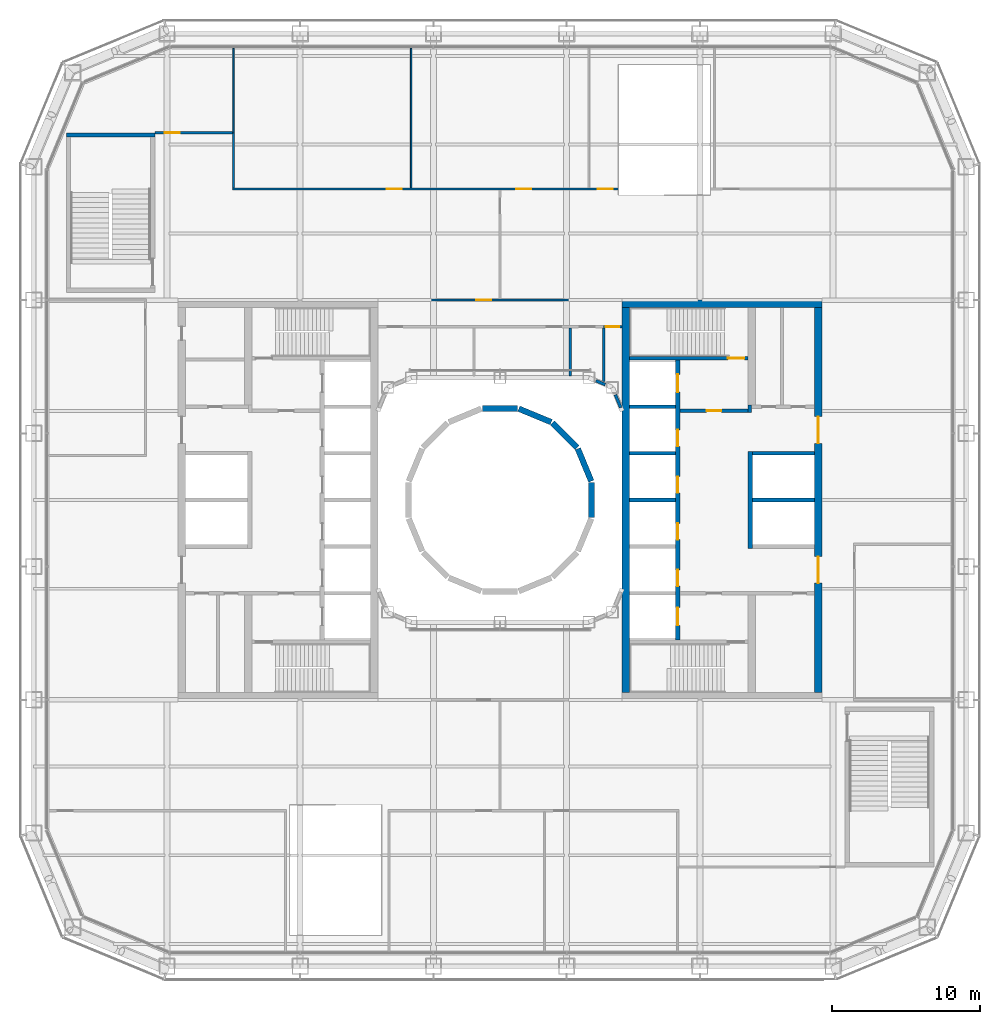
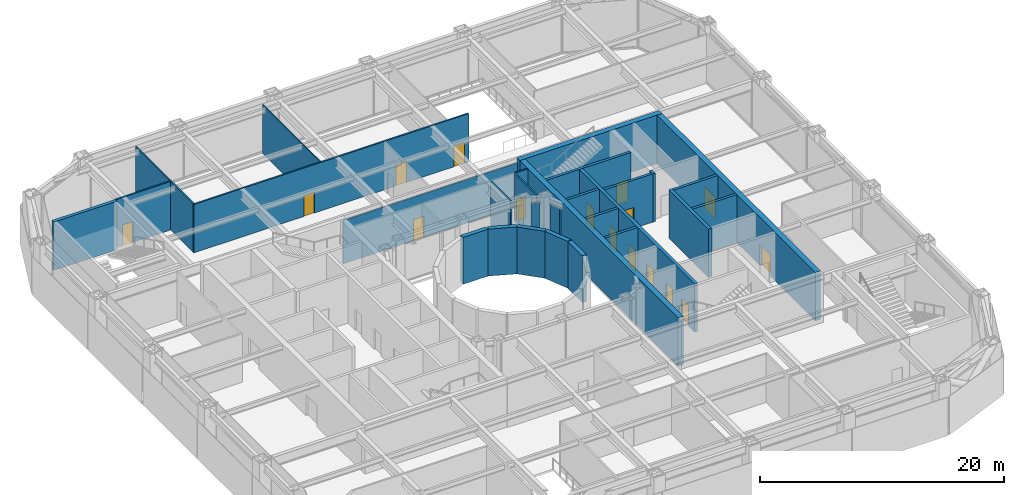
# One storey, part 14 of 24: 30 walls, 16 doors, 16 openings.
"""IFC4 building model written with IfcOpenShell, lengths in metres."""

from ifc_helpers import new_model, si_unit, direction, frame, frame_2d, origin, place, context, subcontext, project, spatial, rectangle, extrude, material, layer, layer_set, type_object, element, fill, save


model = new_model("IFC4")

# Units and contexts
model_context = context("Model", 3, precision=1e-05, world=origin(), true_north=direction((0.0, 1.0)))
body_context = subcontext(model_context, "Body", "Model", "MODEL_VIEW")
ifc_project = project(units=[si_unit("LENGTHUNIT", "METRE"), si_unit("AREAUNIT", "SQUARE_METRE"), si_unit("VOLUMEUNIT", "CUBIC_METRE"), si_unit("PLANEANGLEUNIT", "RADIAN"), si_unit("MASSUNIT", "GRAM", prefix="KILO")], contexts=[model_context])

# Site, building, storey
site_placement = place(None, origin())
site = spatial("IfcSite", under=ifc_project, at=site_placement, CompositionType="ELEMENT")
building_placement = place(site_placement, origin())
building = spatial("IfcBuilding", under=site, at=building_placement, Name="Siwar Civic Tower", CompositionType="ELEMENT")
storey_placement = place(building_placement, frame((0.0, 0.0, 12.199951171875)))
storey = spatial("IfcBuildingStorey", under=building, at=storey_placement, Name="L02", CompositionType="ELEMENT", Elevation=12.199951171875)

# Wall, opening, door
ifc_material_1 = material(Name="Gypsum board on steel studs", Category="steel")
ifc_layer_1 = layer(ifc_material_1, 0.14990234375)
ifc_layer_set_1 = layer_set([ifc_layer_1], Name="Gypsum board on steel studs")
wall_type_1 = type_object("IfcWallType", Name="COMPARTMENT PARTITION 150 EI 60", PredefinedType="PARTITIONING", material=ifc_layer_set_1)
wall_1_placement = place(storey_placement, frame((7.0, 11.699951171875, 0.0), z_axis=(0.0, 0.0, 1.0), x_axis=(1.0, 0.0, 0.0)))
wall_1 = element("IfcWall", 1, at=wall_1_placement, inside=storey, type_object=wall_type_1, Name="L02/wall/P09", PredefinedType="PARTITIONING", context=body_context, shape_type="SweptSolid", body=[
    extrude(rectangle(XDim=1.25, YDim=0.14990234375, at=frame_2d((0.625, 0.0))), origin(), (0.0, 0.0, 1.0), 4.85009765625),
])
opening_1_placement = place(wall_1_placement, frame((0.14990234375, 0.0, 0.0)))
opening_1 = element("IfcOpeningElement", 2, at=opening_1_placement, cuts=wall_1, Name="Opening D4", PredefinedType="OPENING", context=body_context, shape_type="SweptSolid", body=[
    extrude(rectangle(XDim=0.89990234375, YDim=2.10009765625, at=frame_2d((0.449951171875, 1.050048828125))), frame((0.0, 0.0849609375, 0.0), z_axis=(0.0, -1.0, 0.0), x_axis=(1.0, 0.0, 0.0)), (0.0, 0.0, 1.0), 0.169921875),
])
ifc_material_2 = material(Name="Timber, painted", Category="wood")
door_type_1 = type_object("IfcDoorType", Name="DOOR 900 X 2100 FD60", OperationType="SINGLE_SWING_LEFT", PredefinedType="DOOR", material=ifc_material_2)
door_1_placement = place(opening_1_placement, origin())
door_1 = element("IfcDoor", 3, at=door_1_placement, inside=storey, type_object=door_type_1, Name="L02-D16", OperationType="SINGLE_SWING_RIGHT", OverallHeight=2.10009765625, OverallWidth=0.89990234375, PredefinedType="DOOR", context=body_context, shape_type="SweptSolid", body=[
    extrude(rectangle(XDim=0.89990234375, YDim=2.10009765625, at=frame_2d((0.449951171875, 1.050048828125))), frame((0.0, 0.02490234375, 0.0), z_axis=(0.0, -1.0, 0.0), x_axis=(1.0, 0.0, 0.0)), (0.0, 0.0, 1.0), 0.050048828125),
])
fill(opening_1, door_1)

# Wall
wall_2_placement = place(storey_placement, frame((7.0, 8.0, 0.0), z_axis=(0.0, 0.0, 1.0), x_axis=(0.0, 1.0, 0.0)))
element("IfcWall", 4, at=wall_2_placement, inside=storey, type_object=wall_type_1, Name="L02/wall/P27", PredefinedType="PARTITIONING", context=body_context, shape_type="SweptSolid", body=[
    extrude(rectangle(XDim=3.625, YDim=0.14990234375, at=frame_2d((1.8125, 0.0))), origin(), (0.0, 0.0, 1.0), 4.85009765625),
])

# Wall, opening, door
ifc_material_3 = material(Name="Concrete C60/75", Category="concrete")
ifc_layer_2 = layer(ifc_material_3, 0.25)
ifc_layer_set_2 = layer_set([ifc_layer_2], Name="Concrete C60/75")
wall_type_2 = type_object("IfcWallType", Name="CORE-WALL-RC250", PredefinedType="SHEAR", material=ifc_layer_set_2)
wall_3_placement = place(storey_placement, frame((12.14990234375, 6.02490234375, 0.0), z_axis=(0.0, 0.0, 1.0), x_axis=(1.0, 0.0, 0.0)))
wall_3 = element("IfcWall", 5, at=wall_3_placement, inside=storey, type_object=wall_type_2, Name="Core wall E", PredefinedType="SHEAR", context=body_context, shape_type="SweptSolid", body=[
    extrude(rectangle(XDim=4.60009765625, YDim=0.25, at=frame_2d((2.300048828125, 0.0))), origin(), (0.0, 0.0, 1.0), 4.85009765625),
])
opening_2_placement = place(wall_3_placement, frame((1.800048828125, 0.0, 0.0)))
opening_2 = element("IfcOpeningElement", 6, at=opening_2_placement, cuts=wall_3, Name="Opening L02-CE01", PredefinedType="OPENING", context=body_context, shape_type="SweptSolid", body=[
    extrude(rectangle(XDim=1.0, YDim=2.10009765625, at=frame_2d((0.5, 1.050048828125))), frame((0.0, 0.135009765625, 0.0), z_axis=(0.0, -1.0, 0.0), x_axis=(1.0, 0.0, 0.0)), (0.0, 0.0, 1.0), 0.27001953125),
])
ifc_material_4 = material(Name="Steel door leaf", Category="steel")
door_type_2 = type_object("IfcDoorType", Name="CORE-DOOR-FD30S", OperationType="SINGLE_SWING_LEFT", PredefinedType="DOOR", material=ifc_material_4)
door_2_placement = place(opening_2_placement, origin())
door_2 = element("IfcDoor", 7, at=door_2_placement, inside=storey, type_object=door_type_2, Name="Firefighting lobby door L02-CE01", OperationType="SINGLE_SWING_RIGHT", OverallHeight=2.10009765625, OverallWidth=1.0, PredefinedType="DOOR", context=body_context, shape_type="SweptSolid", body=[
    extrude(rectangle(XDim=1.0, YDim=2.10009765625, at=frame_2d((0.5, 1.050048828125))), frame((0.0, 0.02490234375, 0.0), z_axis=(0.0, -1.0, 0.0), x_axis=(1.0, 0.0, 0.0)), (0.0, 0.0, 1.0), 0.050048828125),
])
fill(opening_2, door_2)

# Walls
wall_4_placement = place(storey_placement, frame((16.875, 5.89990234375, 0.0), z_axis=(0.0, 0.0, 1.0), x_axis=(0.0, 1.0, 0.0)))
element("IfcWall", 8, at=wall_4_placement, inside=storey, type_object=wall_type_2, Name="Core wall E", PredefinedType="SHEAR", context=body_context, shape_type="SweptSolid", body=[
    extrude(rectangle(XDim=0.525146484375, YDim=0.25, at=frame_2d((0.2626953125, 0.0))), origin(), (0.0, 0.0, 1.0), 4.85009765625),
])
for number, where, z_axis, x_axis, name in (
    (9, (17.050048828125, 0.0, 0.0), (0.0, 0.0, 1.0), (1.0, 0.0, 0.0), "Core wall E"),
    (10, (17.050048828125, 3.14990234375, 0.0), (0.0, 0.0, 1.0), (1.0, 0.0, 0.0), "Core wall E"),
):
    element("IfcWall", number, at=place(storey_placement, frame(where, z_axis=z_axis, x_axis=x_axis)), inside=storey, type_object=wall_type_2, Name=name, PredefinedType="SHEAR", context=body_context, shape_type="SweptSolid", body=[
        extrude(rectangle(XDim=4.199951171875, YDim=0.25, at=frame_2d((2.10009765625, 0.0))), origin(), (0.0, 0.0, 1.0), 4.85009765625),
    ])
for number, where, z_axis, x_axis, name in (
    (11, (8.75, 0.0, 0.0), (0.0, 0.0, 1.0), (1.0, 0.0, 0.0), "Core wall E"),
    (12, (8.75, 3.14990234375, 0.0), (0.0, 0.0, 1.0), (1.0, 0.0, 0.0), "Core wall E"),
    (13, (8.75, 6.300048828125, 0.0), (0.0, 0.0, 1.0), (1.0, 0.0, 0.0), "Core wall E"),
):
    element("IfcWall", number, at=place(storey_placement, frame(where, z_axis=z_axis, x_axis=x_axis)), inside=storey, type_object=wall_type_2, Name=name, PredefinedType="SHEAR", context=body_context, shape_type="SweptSolid", body=[
        extrude(rectangle(XDim=3.10009765625, YDim=0.25, at=frame_2d((1.550048828125, 0.0))), origin(), (0.0, 0.0, 1.0), 4.85009765625),
    ])

# Wall, opening, door
wall_5_placement = place(storey_placement, frame((8.75, 9.574951171875, 0.0), z_axis=(0.0, 0.0, 1.0), x_axis=(1.0, 0.0, 0.0)))
wall_5 = element("IfcWall", 14, at=wall_5_placement, inside=storey, type_object=wall_type_2, Name="Core wall E", PredefinedType="SHEAR", context=body_context, shape_type="SweptSolid", body=[
    extrude(rectangle(XDim=8.0, YDim=0.25, at=frame_2d((4.0, 0.0))), origin(), (0.0, 0.0, 1.0), 4.85009765625),
])
opening_3_placement = place(wall_5_placement, frame((6.64990234375, 0.0, 0.0)))
opening_3 = element("IfcOpeningElement", 15, at=opening_3_placement, cuts=wall_5, Name="Opening L02-CE03", PredefinedType="OPENING", context=body_context, shape_type="SweptSolid", body=[
    extrude(rectangle(XDim=1.10009765625, YDim=2.10009765625, at=frame_2d((0.550048828125, 1.050048828125))), frame((0.0, 0.135009765625, 0.0), z_axis=(0.0, -1.0, 0.0), x_axis=(1.0, 0.0, 0.0)), (0.0, 0.0, 1.0), 0.27001953125),
])
ifc_material_5 = material(Name="Steel door leaf", Category="steel")
door_type_3 = type_object("IfcDoorType", Name="CORE-DOOR-FD60S", OperationType="SINGLE_SWING_LEFT", PredefinedType="DOOR", material=ifc_material_5)
door_3_placement = place(opening_3_placement, origin())
door_3 = element("IfcDoor", 16, at=door_3_placement, inside=storey, type_object=door_type_3, Name="Stair door L02-CE03", OperationType="SINGLE_SWING_LEFT", OverallHeight=2.10009765625, OverallWidth=1.10009765625, PredefinedType="DOOR", context=body_context, shape_type="SweptSolid", body=[
    extrude(rectangle(XDim=1.10009765625, YDim=2.10009765625, at=frame_2d((0.550048828125, 1.050048828125))), frame((0.0, 0.02490234375, 0.0), z_axis=(0.0, -1.0, 0.0), x_axis=(1.0, 0.0, 0.0)), (0.0, 0.0, 1.0), 0.050048828125),
])
fill(opening_3, door_3)

# Wall, openings, doors
ifc_material_6 = material(Name="Concrete C60/75", Category="concrete")
ifc_layer_3 = layer(ifc_material_6, 0.300048828125)
ifc_layer_set_3 = layer_set([ifc_layer_3], Name="Concrete C60/75")
wall_type_3 = type_object("IfcWallType", Name="CORE-WALL-RC300", PredefinedType="SHEAR", material=ifc_layer_set_3)
wall_6_placement = place(storey_placement, frame((12.0, -9.449951171875, 0.0), z_axis=(0.0, 0.0, 1.0), x_axis=(0.0, 1.0, 0.0)))
wall_6 = element("IfcWall", 17, at=wall_6_placement, inside=storey, type_object=wall_type_3, Name="Core wall E", PredefinedType="SHEAR", context=body_context, shape_type="SweptSolid", body=[
    extrude(rectangle(XDim=18.89990234375, YDim=0.300048828125, at=frame_2d((9.449951171875, 0.0))), origin(), (0.0, 0.0, 1.0), 4.85009765625),
])
opening_4_placement = place(wall_6_placement, frame((3.625, 0.0, 0.0)))
opening_4 = element("IfcOpeningElement", 18, at=opening_4_placement, cuts=wall_6, Name="Opening L02-CE07", PredefinedType="OPENING", context=body_context, shape_type="SweptSolid", body=[
    extrude(rectangle(XDim=1.10009765625, YDim=2.10009765625, at=frame_2d((0.550048828125, 1.050048828125))), frame((0.0, 0.16015625, 0.0), z_axis=(0.0, -1.0, 0.0), x_axis=(1.0, 0.0, 0.0)), (0.0, 0.0, 1.0), 0.320068359375),
])
opening_5_placement = place(wall_6_placement, frame((6.77490234375, 0.0, 0.0)))
opening_5 = element("IfcOpeningElement", 19, at=opening_5_placement, cuts=wall_6, Name="Opening L02-CE08", PredefinedType="OPENING", context=body_context, shape_type="SweptSolid", body=[
    extrude(rectangle(XDim=1.10009765625, YDim=2.10009765625, at=frame_2d((0.550048828125, 1.050048828125))), frame((0.0, 0.16015625, 0.0), z_axis=(0.0, -1.0, 0.0), x_axis=(1.0, 0.0, 0.0)), (0.0, 0.0, 1.0), 0.320068359375),
])
opening_6_placement = place(wall_6_placement, frame((9.925048828125, 0.0, 0.0)))
opening_6 = element("IfcOpeningElement", 20, at=opening_6_placement, cuts=wall_6, Name="Opening L02-CE09", PredefinedType="OPENING", context=body_context, shape_type="SweptSolid", body=[
    extrude(rectangle(XDim=1.10009765625, YDim=2.10009765625, at=frame_2d((0.550048828125, 1.050048828125))), frame((0.0, 0.16015625, 0.0), z_axis=(0.0, -1.0, 0.0), x_axis=(1.0, 0.0, 0.0)), (0.0, 0.0, 1.0), 0.320068359375),
])
opening_7_placement = place(wall_6_placement, frame((13.074951171875, 0.0, 0.0)))
opening_7 = element("IfcOpeningElement", 21, at=opening_7_placement, cuts=wall_6, Name="Opening L02-CE10", PredefinedType="OPENING", context=body_context, shape_type="SweptSolid", body=[
    extrude(rectangle(XDim=1.10009765625, YDim=2.10009765625, at=frame_2d((0.550048828125, 1.050048828125))), frame((0.0, 0.16015625, 0.0), z_axis=(0.0, -1.0, 0.0), x_axis=(1.0, 0.0, 0.0)), (0.0, 0.0, 1.0), 0.320068359375),
])
opening_8_placement = place(wall_6_placement, frame((16.72509765625, 0.0, 0.0)))
opening_8 = element("IfcOpeningElement", 22, at=opening_8_placement, cuts=wall_6, Name="Opening L02-CE11", PredefinedType="OPENING", context=body_context, shape_type="SweptSolid", body=[
    extrude(rectangle(XDim=1.199951171875, YDim=2.10009765625, at=frame_2d((0.60009765625, 1.050048828125))), frame((0.0, 0.16015625, 0.0), z_axis=(0.0, -1.0, 0.0), x_axis=(1.0, 0.0, 0.0)), (0.0, 0.0, 1.0), 0.320068359375),
])
opening_9_placement = place(wall_6_placement, frame((0.97509765625, 0.0, 0.0)))
opening_9 = element("IfcOpeningElement", 23, at=opening_9_placement, cuts=wall_6, Name="Opening L02-CE12", PredefinedType="OPENING", context=body_context, shape_type="SweptSolid", body=[
    extrude(rectangle(XDim=1.199951171875, YDim=2.10009765625, at=frame_2d((0.60009765625, 1.050048828125))), frame((0.0, 0.16015625, 0.0), z_axis=(0.0, -1.0, 0.0), x_axis=(1.0, 0.0, 0.0)), (0.0, 0.0, 1.0), 0.320068359375),
])
ifc_material_7 = material(Name="Steel door leaf", Category="steel")
door_type_4 = type_object("IfcDoorType", Name="CORE-DOOR-LD", OperationType="DOUBLE_DOOR_SLIDING", PredefinedType="DOOR", material=ifc_material_7)
door_4_placement = place(opening_4_placement, origin())
door_4 = element("IfcDoor", 24, at=door_4_placement, inside=storey, type_object=door_type_4, Name="Landing door LR5 L02-CE07", OperationType="DOUBLE_DOOR_SLIDING", OverallHeight=2.10009765625, OverallWidth=1.10009765625, PredefinedType="DOOR", context=body_context, shape_type="SweptSolid", body=[
    extrude(rectangle(XDim=1.10009765625, YDim=2.10009765625, at=frame_2d((0.550048828125, 1.050048828125))), frame((0.0, 0.02490234375, 0.0), z_axis=(0.0, -1.0, 0.0), x_axis=(1.0, 0.0, 0.0)), (0.0, 0.0, 1.0), 0.050048828125),
])
fill(opening_4, door_4)
door_5_placement = place(opening_5_placement, origin())
door_5 = element("IfcDoor", 25, at=door_5_placement, inside=storey, type_object=door_type_4, Name="Landing door LR6 L02-CE08", OperationType="DOUBLE_DOOR_SLIDING", OverallHeight=2.10009765625, OverallWidth=1.10009765625, PredefinedType="DOOR", context=body_context, shape_type="SweptSolid", body=[
    extrude(rectangle(XDim=1.10009765625, YDim=2.10009765625, at=frame_2d((0.550048828125, 1.050048828125))), frame((0.0, 0.02490234375, 0.0), z_axis=(0.0, -1.0, 0.0), x_axis=(1.0, 0.0, 0.0)), (0.0, 0.0, 1.0), 0.050048828125),
])
fill(opening_5, door_5)
door_6_placement = place(opening_6_placement, origin())
door_6 = element("IfcDoor", 26, at=door_6_placement, inside=storey, type_object=door_type_4, Name="Landing door LR7 L02-CE09", OperationType="DOUBLE_DOOR_SLIDING", OverallHeight=2.10009765625, OverallWidth=1.10009765625, PredefinedType="DOOR", context=body_context, shape_type="SweptSolid", body=[
    extrude(rectangle(XDim=1.10009765625, YDim=2.10009765625, at=frame_2d((0.550048828125, 1.050048828125))), frame((0.0, 0.02490234375, 0.0), z_axis=(0.0, -1.0, 0.0), x_axis=(1.0, 0.0, 0.0)), (0.0, 0.0, 1.0), 0.050048828125),
])
fill(opening_6, door_6)
door_7_placement = place(opening_7_placement, origin())
door_7 = element("IfcDoor", 27, at=door_7_placement, inside=storey, type_object=door_type_4, Name="Landing door LR8 L02-CE10", OperationType="DOUBLE_DOOR_SLIDING", OverallHeight=2.10009765625, OverallWidth=1.10009765625, PredefinedType="DOOR", context=body_context, shape_type="SweptSolid", body=[
    extrude(rectangle(XDim=1.10009765625, YDim=2.10009765625, at=frame_2d((0.550048828125, 1.050048828125))), frame((0.0, 0.02490234375, 0.0), z_axis=(0.0, -1.0, 0.0), x_axis=(1.0, 0.0, 0.0)), (0.0, 0.0, 1.0), 0.050048828125),
])
fill(opening_7, door_7)
ifc_material_8 = material(Name="Steel door leaf", Category="steel")
door_type_5 = type_object("IfcDoorType", Name="CORE-DOOR-LDW", OperationType="DOUBLE_DOOR_SLIDING", PredefinedType="DOOR", material=ifc_material_8)
door_8_placement = place(opening_8_placement, origin())
door_8 = element("IfcDoor", 28, at=door_8_placement, inside=storey, type_object=door_type_5, Name="Landing door FF2 L02-CE11", OperationType="DOUBLE_DOOR_SLIDING", OverallHeight=2.10009765625, OverallWidth=1.199951171875, PredefinedType="DOOR", context=body_context, shape_type="SweptSolid", body=[
    extrude(rectangle(XDim=1.199951171875, YDim=2.10009765625, at=frame_2d((0.60009765625, 1.050048828125))), frame((0.0, 0.02490234375, 0.0), z_axis=(0.0, -1.0, 0.0), x_axis=(1.0, 0.0, 0.0)), (0.0, 0.0, 1.0), 0.050048828125),
])
fill(opening_8, door_8)
door_9_placement = place(opening_9_placement, origin())
door_9 = element("IfcDoor", 29, at=door_9_placement, inside=storey, type_object=door_type_5, Name="Landing door SV2 L02-CE12", OperationType="DOUBLE_DOOR_SLIDING", OverallHeight=2.10009765625, OverallWidth=1.199951171875, PredefinedType="DOOR", context=body_context, shape_type="SweptSolid", body=[
    extrude(rectangle(XDim=1.199951171875, YDim=2.10009765625, at=frame_2d((0.60009765625, 1.050048828125))), frame((0.0, 0.02490234375, 0.0), z_axis=(0.0, -1.0, 0.0), x_axis=(1.0, 0.0, 0.0)), (0.0, 0.0, 1.0), 0.050048828125),
])
fill(opening_9, door_9)

# Wall
wall_7_placement = place(storey_placement, frame((16.89990234375, -3.27490234375, 0.0), z_axis=(0.0, 0.0, 1.0), x_axis=(0.0, 1.0, 0.0)))
element("IfcWall", 30, at=wall_7_placement, inside=storey, type_object=wall_type_3, Name="Core wall E", PredefinedType="SHEAR", context=body_context, shape_type="SweptSolid", body=[
    extrude(rectangle(XDim=6.5498046875, YDim=0.300048828125, at=frame_2d((3.27490234375, 0.0))), origin(), (0.0, 0.0, 1.0), 4.85009765625),
])

# Wall, openings, doors
ifc_material_9 = material(Name="Concrete C60/75", Category="concrete")
ifc_layer_4 = layer(ifc_material_9, 0.5)
ifc_layer_set_4 = layer_set([ifc_layer_4], Name="Concrete C60/75")
wall_type_4 = type_object("IfcWallType", Name="CORE-WALL-RC500", PredefinedType="SHEAR", material=ifc_layer_set_4)
wall_8_placement = place(storey_placement, frame((21.5, -13.0, 0.0), z_axis=(0.0, 0.0, 1.0), x_axis=(0.0, 1.0, 0.0)))
wall_8 = element("IfcWall", 31, at=wall_8_placement, inside=storey, type_object=wall_type_4, Name="Core wall E", PredefinedType="SHEAR", context=body_context, shape_type="SweptSolid", body=[
    extrude(rectangle(XDim=26.0, YDim=0.5, at=frame_2d((13.0, 0.0))), origin(), (0.0, 0.0, 1.0), 4.85009765625),
])
opening_10_placement = place(wall_8_placement, frame((16.824951171875, 0.0, 0.0)))
opening_10 = element("IfcOpeningElement", 32, at=opening_10_placement, cuts=wall_8, Name="Opening L02-CE05", PredefinedType="OPENING", context=body_context, shape_type="SweptSolid", body=[
    extrude(rectangle(XDim=1.800048828125, YDim=2.10009765625, at=frame_2d((0.89990234375, 1.050048828125))), frame((0.0, 0.260009765625, 0.0), z_axis=(0.0, -1.0, 0.0), x_axis=(1.0, 0.0, 0.0)), (0.0, 0.0, 1.0), 0.52001953125),
])
opening_11_placement = place(wall_8_placement, frame((7.375, 0.0, 0.0)))
opening_11 = element("IfcOpeningElement", 33, at=opening_11_placement, cuts=wall_8, Name="Opening L02-CE06", PredefinedType="OPENING", context=body_context, shape_type="SweptSolid", body=[
    extrude(rectangle(XDim=1.800048828125, YDim=2.10009765625, at=frame_2d((0.89990234375, 1.050048828125))), frame((0.0, 0.260009765625, 0.0), z_axis=(0.0, -1.0, 0.0), x_axis=(1.0, 0.0, 0.0)), (0.0, 0.0, 1.0), 0.52001953125),
])
ifc_material_10 = material(Name="Steel door leaf", Category="steel")
door_type_6 = type_object("IfcDoorType", Name="CORE-DOOR-PORT", OperationType="DOUBLE_DOOR_DOUBLE_SWING", PredefinedType="DOOR", material=ifc_material_10)
door_10_placement = place(opening_10_placement, origin())
door_10 = element("IfcDoor", 34, at=door_10_placement, inside=storey, type_object=door_type_6, Name="Core entrance door L02-CE05", OperationType="DOUBLE_DOOR_DOUBLE_SWING", OverallHeight=2.10009765625, OverallWidth=1.800048828125, PredefinedType="DOOR", context=body_context, shape_type="SweptSolid", body=[
    extrude(rectangle(XDim=1.800048828125, YDim=2.10009765625, at=frame_2d((0.89990234375, 1.050048828125))), frame((0.0, 0.02490234375, 0.0), z_axis=(0.0, -1.0, 0.0), x_axis=(1.0, 0.0, 0.0)), (0.0, 0.0, 1.0), 0.050048828125),
])
fill(opening_10, door_10)
door_11_placement = place(opening_11_placement, origin())
door_11 = element("IfcDoor", 35, at=door_11_placement, inside=storey, type_object=door_type_6, Name="Core entrance door L02-CE06", OperationType="DOUBLE_DOOR_DOUBLE_SWING", OverallHeight=2.10009765625, OverallWidth=1.800048828125, PredefinedType="DOOR", context=body_context, shape_type="SweptSolid", body=[
    extrude(rectangle(XDim=1.800048828125, YDim=2.10009765625, at=frame_2d((0.89990234375, 1.050048828125))), frame((0.0, 0.02490234375, 0.0), z_axis=(0.0, -1.0, 0.0), x_axis=(1.0, 0.0, 0.0)), (0.0, 0.0, 1.0), 0.050048828125),
])
fill(opening_11, door_11)

# Walls
wall_9_placement = place(storey_placement, frame((8.25, 13.25, 0.0), z_axis=(0.0, 0.0, 1.0), x_axis=(1.0, 0.0, 0.0)))
element("IfcWall", 36, at=wall_9_placement, inside=storey, type_object=wall_type_4, Name="Core wall E", PredefinedType="SHEAR", context=body_context, shape_type="SweptSolid", body=[
    extrude(rectangle(XDim=13.5, YDim=0.5, at=frame_2d((6.75, 0.0))), origin(), (0.0, 0.0, 1.0), 4.85009765625),
])
ifc_material_11 = material(Name="Concrete C60/75", Category="concrete")
ifc_layer_5 = layer(ifc_material_11, 0.5)
ifc_layer_set_5 = layer_set([ifc_layer_5], Name="Concrete C60/75")
wall_type_5 = type_object("IfcWallType", Name="CORE-WALL-RC500-EXT", PredefinedType="SHEAR", material=ifc_layer_set_5)
wall_10_placement = place(storey_placement, frame((8.5, -13.0, 0.0), z_axis=(0.0, 0.0, 1.0), x_axis=(0.0, 1.0, 0.0)))
element("IfcWall", 37, at=wall_10_placement, inside=storey, type_object=wall_type_5, Name="Core wall E", PredefinedType="SHEAR", context=body_context, shape_type="SweptSolid", body=[
    extrude(rectangle(XDim=26.0, YDim=0.5, at=frame_2d((13.0, 0.0))), origin(), (0.0, 0.0, 1.0), 4.85009765625),
])

# Wall, opening, door
ifc_material_12 = material(Name="Gypsum board on steel studs", Category="steel")
ifc_layer_6 = layer(ifc_material_12, 0.14990234375)
ifc_layer_set_6 = layer_set([ifc_layer_6], Name="Gypsum board on steel studs")
wall_type_6 = type_object("IfcWallType", Name="CORRIDOR PARTITION 150 EI 30", PredefinedType="PARTITIONING", material=ifc_layer_set_6)
wall_11_placement = place(storey_placement, frame((-8.25, 13.5, 0.0), z_axis=(0.0, 0.0, 1.0), x_axis=(1.0, 0.0, 0.0)))
wall_11 = element("IfcWall", 38, at=wall_11_placement, inside=storey, type_object=wall_type_6, Name="L02/wall/P11", PredefinedType="PARTITIONING", context=body_context, shape_type="SweptSolid", body=[
    extrude(rectangle(XDim=16.5, YDim=0.14990234375, at=frame_2d((8.25, 0.0))), origin(), (0.0, 0.0, 1.0), 4.35009765625),
])
opening_12_placement = place(wall_11_placement, frame((6.64990234375, 0.0, 0.0)))
opening_12 = element("IfcOpeningElement", 39, at=opening_12_placement, cuts=wall_11, Name="Opening D1", PredefinedType="OPENING", context=body_context, shape_type="SweptSolid", body=[
    extrude(rectangle(XDim=1.0, YDim=2.10009765625, at=frame_2d((0.5, 1.050048828125))), frame((0.0, 0.0849609375, 0.0), z_axis=(0.0, -1.0, 0.0), x_axis=(1.0, 0.0, 0.0)), (0.0, 0.0, 1.0), 0.169921875),
])
ifc_material_13 = material(Name="Timber, painted", Category="wood")
door_type_7 = type_object("IfcDoorType", Name="DOOR 1000 X 2100 FD30", OperationType="SINGLE_SWING_LEFT", PredefinedType="DOOR", material=ifc_material_13)
door_12_placement = place(opening_12_placement, origin())
door_12 = element("IfcDoor", 40, at=door_12_placement, inside=storey, type_object=door_type_7, Name="L02-D12", OperationType="SINGLE_SWING_RIGHT", OverallHeight=2.10009765625, OverallWidth=1.0, PredefinedType="DOOR", context=body_context, shape_type="SweptSolid", body=[
    extrude(rectangle(XDim=1.0, YDim=2.10009765625, at=frame_2d((0.5, 1.050048828125))), frame((0.0, 0.02490234375, 0.0), z_axis=(0.0, -1.0, 0.0), x_axis=(1.0, 0.0, 0.0)), (0.0, 0.0, 1.0), 0.050048828125),
])
fill(opening_12, door_12)

# Wall, openings, doors
wall_12_placement = place(storey_placement, frame((-18.074951171875, 21.0, 0.0), z_axis=(0.0, 0.0, 1.0), x_axis=(1.0, 0.0, 0.0)))
wall_12 = element("IfcWall", 41, at=wall_12_placement, inside=storey, type_object=wall_type_6, Name="L02/wall/P12", PredefinedType="PARTITIONING", context=body_context, shape_type="SweptSolid", body=[
    extrude(rectangle(XDim=26.074951171875, YDim=0.14990234375, at=frame_2d((13.03759765625, 0.0))), origin(), (0.0, 0.0, 1.0), 4.85009765625),
])
opening_13_placement = place(wall_12_placement, frame((10.425048828125, 0.0, 0.0)))
opening_13 = element("IfcOpeningElement", 42, at=opening_13_placement, cuts=wall_12, Name="Opening D1", PredefinedType="OPENING", context=body_context, shape_type="SweptSolid", body=[
    extrude(rectangle(XDim=1.0, YDim=2.10009765625, at=frame_2d((0.5, 1.050048828125))), frame((0.0, 0.0849609375, 0.0), z_axis=(0.0, -1.0, 0.0), x_axis=(1.0, 0.0, 0.0)), (0.0, 0.0, 1.0), 0.169921875),
])
opening_14_placement = place(wall_12_placement, frame((19.175048828125, 0.0, 0.0)))
opening_14 = element("IfcOpeningElement", 43, at=opening_14_placement, cuts=wall_12, Name="Opening D1", PredefinedType="OPENING", context=body_context, shape_type="SweptSolid", body=[
    extrude(rectangle(XDim=1.0, YDim=2.10009765625, at=frame_2d((0.5, 1.050048828125))), frame((0.0, 0.0849609375, 0.0), z_axis=(0.0, -1.0, 0.0), x_axis=(1.0, 0.0, 0.0)), (0.0, 0.0, 1.0), 0.169921875),
])
opening_15_placement = place(wall_12_placement, frame((24.675048828125, 0.0, 0.0)))
opening_15 = element("IfcOpeningElement", 44, at=opening_15_placement, cuts=wall_12, Name="Opening D1", PredefinedType="OPENING", context=body_context, shape_type="SweptSolid", body=[
    extrude(rectangle(XDim=1.0, YDim=2.10009765625, at=frame_2d((0.5, 1.050048828125))), frame((0.0, 0.0849609375, 0.0), z_axis=(0.0, -1.0, 0.0), x_axis=(1.0, 0.0, 0.0)), (0.0, 0.0, 1.0), 0.169921875),
])
door_13_placement = place(opening_13_placement, origin())
door_13 = element("IfcDoor", 45, at=door_13_placement, inside=storey, type_object=door_type_7, Name="L02-D03", OperationType="SINGLE_SWING_LEFT", OverallHeight=2.10009765625, OverallWidth=1.0, PredefinedType="DOOR", context=body_context, shape_type="SweptSolid", body=[
    extrude(rectangle(XDim=1.0, YDim=2.10009765625, at=frame_2d((0.5, 1.050048828125))), frame((0.0, 0.02490234375, 0.0), z_axis=(0.0, -1.0, 0.0), x_axis=(1.0, 0.0, 0.0)), (0.0, 0.0, 1.0), 0.050048828125),
])
fill(opening_13, door_13)
door_14_placement = place(opening_14_placement, origin())
door_14 = element("IfcDoor", 46, at=door_14_placement, inside=storey, type_object=door_type_7, Name="L02-D04", OperationType="SINGLE_SWING_RIGHT", OverallHeight=2.10009765625, OverallWidth=1.0, PredefinedType="DOOR", context=body_context, shape_type="SweptSolid", body=[
    extrude(rectangle(XDim=1.0, YDim=2.10009765625, at=frame_2d((0.5, 1.050048828125))), frame((0.0, 0.02490234375, 0.0), z_axis=(0.0, -1.0, 0.0), x_axis=(1.0, 0.0, 0.0)), (0.0, 0.0, 1.0), 0.050048828125),
])
fill(opening_14, door_14)
door_15_placement = place(opening_15_placement, origin())
door_15 = element("IfcDoor", 47, at=door_15_placement, inside=storey, type_object=door_type_7, Name="L02-D05", OperationType="SINGLE_SWING_LEFT", OverallHeight=2.10009765625, OverallWidth=1.0, PredefinedType="DOOR", context=body_context, shape_type="SweptSolid", body=[
    extrude(rectangle(XDim=1.0, YDim=2.10009765625, at=frame_2d((0.5, 1.050048828125))), frame((0.0, 0.02490234375, 0.0), z_axis=(0.0, -1.0, 0.0), x_axis=(1.0, 0.0, 0.0)), (0.0, 0.0, 1.0), 0.050048828125),
])
fill(opening_15, door_15)

# Wall, opening, door
wall_13_placement = place(storey_placement, frame((-23.300048828125, 24.800048828125, 0.0), z_axis=(0.0, 0.0, 1.0), x_axis=(1.0, 0.0, 0.0)))
wall_13 = element("IfcWall", 48, at=wall_13_placement, inside=storey, type_object=wall_type_6, Name="L02/wall/P14", PredefinedType="PARTITIONING", context=body_context, shape_type="SweptSolid", body=[
    extrude(rectangle(XDim=5.25, YDim=0.14990234375, at=frame_2d((2.625, 0.0))), origin(), (0.0, 0.0, 1.0), 4.85009765625),
])
opening_16_placement = place(wall_13_placement, frame((0.64990234375, 0.0, 0.0)))
opening_16 = element("IfcOpeningElement", 49, at=opening_16_placement, cuts=wall_13, Name="Opening D1", PredefinedType="OPENING", context=body_context, shape_type="SweptSolid", body=[
    extrude(rectangle(XDim=1.0, YDim=2.10009765625, at=frame_2d((0.5, 1.050048828125))), frame((0.0, 0.0849609375, 0.0), z_axis=(0.0, -1.0, 0.0), x_axis=(1.0, 0.0, 0.0)), (0.0, 0.0, 1.0), 0.169921875),
])
door_16_placement = place(opening_16_placement, origin())
door_16 = element("IfcDoor", 50, at=door_16_placement, inside=storey, type_object=door_type_7, Name="L02-D02", OperationType="SINGLE_SWING_RIGHT", OverallHeight=2.10009765625, OverallWidth=1.0, PredefinedType="DOOR", context=body_context, shape_type="SweptSolid", body=[
    extrude(rectangle(XDim=1.0, YDim=2.10009765625, at=frame_2d((0.5, 1.050048828125))), frame((0.0, 0.02490234375, 0.0), z_axis=(0.0, -1.0, 0.0), x_axis=(1.0, 0.0, 0.0)), (0.0, 0.0, 1.0), 0.050048828125),
])
fill(opening_16, door_16)

# Walls
wall_14_placement = place(storey_placement, frame((-18.0, 21.074951171875, 0.0), z_axis=(0.0, 0.0, 1.0), x_axis=(0.0, 1.0, 0.0)))
element("IfcWall", 51, at=wall_14_placement, inside=storey, type_object=wall_type_6, Name="L02/wall/P17", PredefinedType="PARTITIONING", context=body_context, shape_type="SweptSolid", body=[
    extrude(rectangle(XDim=3.72509765625, YDim=0.14990234375, at=frame_2d((1.862548828125, 0.0))), origin(), (0.0, 0.0, 1.0), 4.85009765625),
])
wall_15_placement = place(storey_placement, frame((4.75, 8.3701171875, 0.0), z_axis=(0.0, 0.0, 1.0), x_axis=(0.0, 1.0, 0.0)))
element("IfcWall", 52, at=wall_15_placement, inside=storey, type_object=wall_type_6, Name="L02/wall/P25", PredefinedType="PARTITIONING", context=body_context, shape_type="SweptSolid", body=[
    extrude(rectangle(XDim=3.2548828125, YDim=0.14990234375, at=frame_2d((1.62744140625, 0.0))), origin(), (0.0, 0.0, 1.0), 4.85009765625),
])
ifc_material_14 = material(Name="Aluminium clad insulated panel", Category="aluminium")
ifc_layer_7 = layer(ifc_material_14, 0.199951171875)
ifc_layer_set_7 = layer_set([ifc_layer_7], Name="Aluminium clad insulated panel")
wall_type_7 = type_object("IfcWallType", Name="ENV-WALL-WELL", PredefinedType="STANDARD", material=ifc_layer_set_7)
wall_16_placement = place(storey_placement, frame((8.154296875, 6.23095703125, 0.0), z_axis=(0.0, 0.0, 1.0), x_axis=(-0.382624318388, 0.923904016107, 0.0)))
element("IfcWall", 53, at=wall_16_placement, inside=storey, type_object=wall_type_7, Name="Light well corner wall NE1", PredefinedType="STANDARD", context=body_context, shape_type="SweptSolid", body=[
    extrude(rectangle(XDim=0.949462890625, YDim=0.199951171875, at=frame_2d((0.474609375, 0.0))), origin(), (0.0, 0.0, 1.0), 4.22998046875),
])
wall_17_placement = place(storey_placement, frame((7.108154296875, 7.791015625, 0.0), z_axis=(0.0, 0.0, 1.0), x_axis=(-0.923854141361, 0.382744726273, 0.0)))
element("IfcWall", 54, at=wall_17_placement, inside=storey, type_object=wall_type_7, Name="Light well corner wall NE2", PredefinedType="STANDARD", context=body_context, shape_type="SweptSolid", body=[
    extrude(rectangle(XDim=0.6767578125, YDim=0.199951171875, at=frame_2d((0.33837890625, 0.0))), origin(), (0.0, 0.0, 1.0), 4.22998046875),
])
ifc_material_15 = material(Name="Concrete C60/75", Category="concrete")
ifc_layer_8 = layer(ifc_material_15, 0.39990234375)
ifc_layer_set_8 = layer_set([ifc_layer_8], Name="Concrete C60/75")
wall_type_8 = type_object("IfcWallType", Name="GND-DRUMWALL", PredefinedType="SOLIDWALL", material=ifc_layer_set_8)
wall_18_placement = place(storey_placement, frame((6.163330078125, 1.266845703125, 0.0), z_axis=(0.0, 0.0, 1.0), x_axis=(-0.382681453552, 0.92388035216, 0.0)))
element("IfcWall", 55, at=wall_18_placement, inside=storey, type_object=wall_type_8, Name="L02/wall/drum-01", PredefinedType="SOLIDWALL", context=body_context, shape_type="SweptSolid", body=[
    extrude(rectangle(XDim=2.37646484375, YDim=0.39990234375, at=frame_2d((1.188232421875, 0.0))), origin(), (0.0, 0.0, 1.0), 4.699951171875),
])
wall_19_placement = place(storey_placement, frame((5.20947265625, 3.52880859375, 0.0), z_axis=(0.0, 0.0, 1.0), x_axis=(-0.707106781187, 0.707106781187, 0.0)))
element("IfcWall", 56, at=wall_19_placement, inside=storey, type_object=wall_type_8, Name="L02/wall/drum-02", PredefinedType="SOLIDWALL", context=body_context, shape_type="SweptSolid", body=[
    extrude(rectangle(XDim=2.376708984375, YDim=0.39990234375, at=frame_2d((1.1884765625, 0.0))), origin(), (0.0, 0.0, 1.0), 4.699951171875),
])
for number, where, z_axis, x_axis, name in (
    (57, (3.46240234375, 5.25390625, 0.0), (0.0, 0.0, 1.0), (-0.92388035216, 0.382681453552, 0.0), "L02/wall/drum-03"),
    (58, (1.188232421875, 6.178955078125, 0.0), (0.0, 0.0, 1.0), (-1.0, 0.0, 0.0), "L02/wall/drum-04"),
    (59, (6.178955078125, -1.188232421875, 0.0), (0.0, 0.0, 1.0), (0.0, 1.0, 0.0), "L02/wall/drum-16"),
):
    element("IfcWall", number, at=place(storey_placement, frame(where, z_axis=z_axis, x_axis=x_axis)), inside=storey, type_object=wall_type_8, Name=name, PredefinedType="SOLIDWALL", context=body_context, shape_type="SweptSolid", body=[
        extrude(rectangle(XDim=2.37646484375, YDim=0.39990234375, at=frame_2d((1.188232421875, 0.0))), origin(), (0.0, 0.0, 1.0), 4.699951171875),
    ])
ifc_material_16 = material(Name="Concrete C60/75", Category="concrete")
ifc_layer_9 = layer(ifc_material_16, 0.300048828125)
ifc_layer_set_9 = layer_set([ifc_layer_9], Name="Concrete C60/75")
wall_type_9 = type_object("IfcWallType", Name="GND-ES-WALL", PredefinedType="SHEAR", material=ifc_layer_set_9)
wall_20_placement = place(storey_placement, frame((-29.300048828125, 24.64990234375, 0.0), z_axis=(0.0, 0.0, 1.0), x_axis=(1.0, 0.0, 0.0)))
element("IfcWall", 60, at=wall_20_placement, inside=storey, type_object=wall_type_9, Name="Stair wall ST5", PredefinedType="SHEAR", context=body_context, shape_type="SweptSolid", body=[
    extrude(rectangle(XDim=6.0, YDim=0.300048828125, at=frame_2d((3.0, 0.0))), origin(), (0.0, 0.0, 1.0), 4.85009765625),
])
ifc_material_17 = material(Name="Gypsum board on steel studs", Category="steel")
ifc_layer_10 = layer(ifc_material_17, 0.10009765625)
ifc_layer_set_10 = layer_set([ifc_layer_10], Name="Gypsum board on steel studs")
wall_type_10 = type_object("IfcWallType", Name="PARTITION 100 GYPSUM", PredefinedType="PARTITIONING", material=ifc_layer_set_10)
wall_21_placement = place(storey_placement, frame((-18.0, 24.800048828125, 0.0), z_axis=(0.0, 0.0, 1.0), x_axis=(0.0, 1.0, 0.0)))
element("IfcWall", 61, at=wall_21_placement, inside=storey, type_object=wall_type_10, Name="L02/wall/P16", PredefinedType="PARTITIONING", context=body_context, shape_type="SweptSolid", body=[
    extrude(rectangle(XDim=5.7099609375, YDim=0.10009765625, at=frame_2d((2.85498046875, 0.0))), origin(), (0.0, 0.0, 1.0), 4.85009765625),
])
wall_22_placement = place(storey_placement, frame((-6.0, 21.074951171875, 0.0), z_axis=(0.0, 0.0, 1.0), x_axis=(0.0, 1.0, 0.0)))
element("IfcWall", 62, at=wall_22_placement, inside=storey, type_object=wall_type_10, Name="L02/wall/P20", PredefinedType="PARTITIONING", context=body_context, shape_type="SweptSolid", body=[
    extrude(rectangle(XDim=9.43505859375, YDim=0.10009765625, at=frame_2d((4.717529296875, 0.0))), origin(), (0.0, 0.0, 1.0), 4.85009765625),
])

save(model, "model.ifc")
